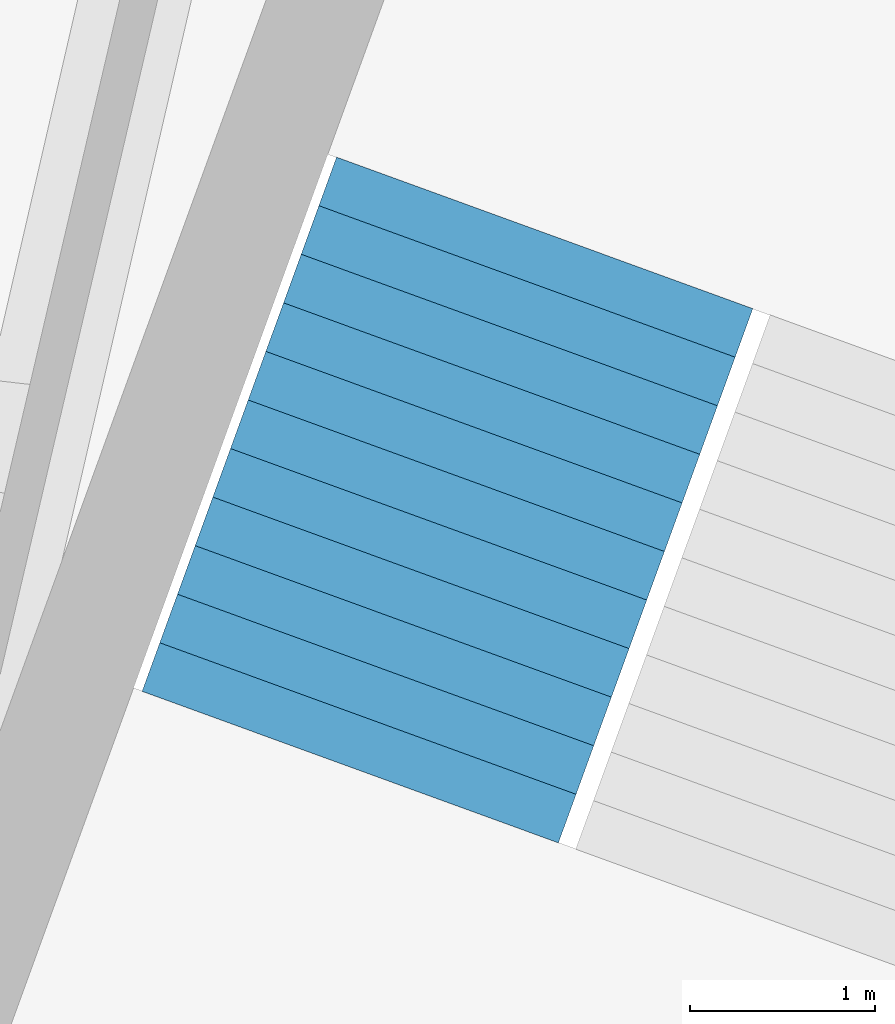
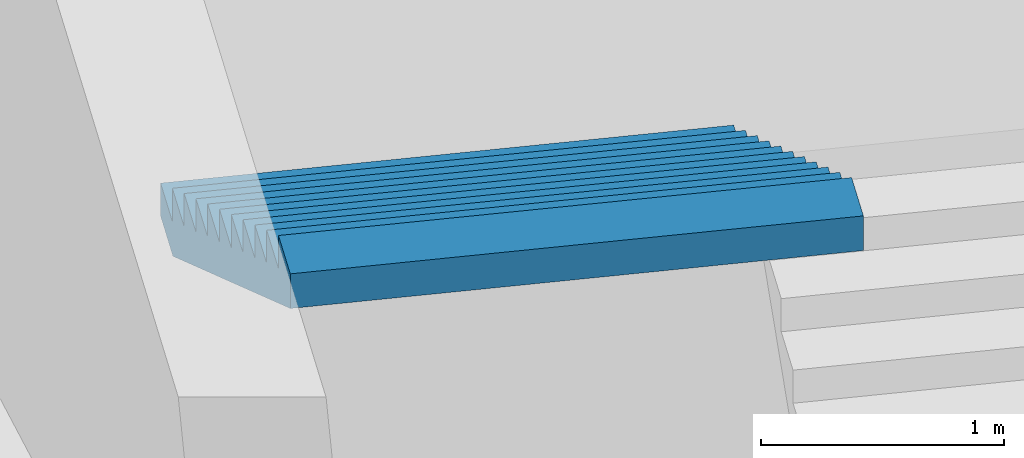
# One storey, part 49 of 74: 1 stair flight, 1 element without a shape of its own.
"""IFC4 building model written with IfcOpenShell, lengths in metres."""

from ifc_helpers import new_model, si_unit, direction, frame, origin, place, context, subcontext, project, spatial, triangles, material, type_object, element, aggregate, save


model = new_model("IFC4")

# Units and contexts
model_context = context("Model", 3, precision=1e-05, world=origin(), true_north=direction((0.0, 1.0)))
body_context = subcontext(model_context, "Body", "Model", "MODEL_VIEW")
ifc_project = project(units=[si_unit("LENGTHUNIT", "METRE"), si_unit("AREAUNIT", "SQUARE_METRE"), si_unit("VOLUMEUNIT", "CUBIC_METRE"), si_unit("PLANEANGLEUNIT", "RADIAN"), si_unit("MASSUNIT", "GRAM", prefix="KILO")], contexts=[model_context])

# Site, building, storey
site_placement = place(None, origin())
site = spatial("IfcSite", under=ifc_project, at=site_placement, CompositionType="ELEMENT")
building_placement = place(site_placement, origin())
building = spatial("IfcBuilding", under=site, at=building_placement, Name="Lantaw Convention Tower", CompositionType="ELEMENT")
storey_placement = place(building_placement, frame((0.0, 0.0, 6.5)))
storey = spatial("IfcBuildingStorey", under=building, at=storey_placement, Name="L01", CompositionType="ELEMENT", Elevation=6.5)

# Stair, stair flight
ifc_material = material(Name="Concrete C35/45", Category="concrete")
stair_type = type_object("IfcStairType", Name="Exit stair 2400 riser 166.67 in 4 flights", PredefinedType="HALF_TURN_STAIR", material=ifc_material)
stair_placement = place(storey_placement, origin())
stair = element("IfcStair", 1, at=stair_placement, inside=storey, type_object=stair_type, Name="Podium exit stair P5 L01", PredefinedType="HALF_TURN_STAIR")
stair_flight_type = type_object("IfcStairFlightType", Name="Stair flight 2400 riser 166.67", PredefinedType="STRAIGHT", material=ifc_material)
stair_flight_placement = place(storey_placement, frame((9.180419921875, 28.8779296875, 6.0), z_axis=(0.0, 0.0, 1.0), x_axis=(-0.342020143326, -0.939692620786, 0.0)))
stair_flight = element("IfcStairFlight", 2, at=stair_flight_placement, type_object=stair_flight_type, Name="P5 flight 4", NumberOfRisers=12, NumberOfTreads=11, PredefinedType="STRAIGHT", RiserHeight=0.166666667, TreadLength=0.28, context=body_context, shape_type="Tessellation", body=[
    triangles([(0.0, 1.199951171875, 0.0), (0.0, 1.199951171875, 0.166666667), (0.28, 1.199951171875, 0.0), (0.28, 1.199951171875, 0.166666667), (0.28, 1.199951171875, 0.333333334), (0.29307345806906726, 1.199951171875, 0.0), (0.29307345806906726, 1.199951171875, 0.333333334), (0.56, 1.199951171875, 0.15888484670522965), (0.56, 1.199951171875, 0.333333334), (0.56, 1.199951171875, 0.500000001), (0.8400000000000001, 1.199951171875, 0.3255515137052296), (0.8400000000000001, 1.199951171875, 0.500000001), (0.8400000000000001, 1.199951171875, 0.666666668), (1.12, 1.199951171875, 0.4922181807052296), (1.12, 1.199951171875, 0.666666668), (1.12, 1.199951171875, 0.833333335), (1.4000000000000001, 1.199951171875, 0.6588848477052296), (1.4000000000000001, 1.199951171875, 0.833333335), (1.4000000000000001, 1.199951171875, 1.000000002), (1.6800000000000002, 1.199951171875, 0.8255515147052296), (1.6800000000000002, 1.199951171875, 1.000000002), (1.6800000000000002, 1.199951171875, 1.166666669), (1.9600000000000002, 1.199951171875, 0.9922181817052296), (1.9600000000000002, 1.199951171875, 1.166666669), (1.9600000000000002, 1.199951171875, 1.333333336), (2.24, 1.199951171875, 1.1588848487052295), (2.24, 1.199951171875, 1.333333336), (2.24, 1.199951171875, 1.5000000029999998), (2.5200000000000005, 1.199951171875, 1.3255515157052296), (2.5200000000000005, 1.199951171875, 1.5000000029999998), (2.5200000000000005, 1.199951171875, 1.66666667), (2.8000000000000003, 1.199951171875, 1.4922181827052294), (2.8000000000000003, 1.199951171875, 1.66666667), (2.8000000000000003, 1.199951171875, 1.833333337), (3.08, 1.199951171875, 1.6588848497052293), (3.08, 1.199951171875, 1.833333337), (0.0, -1.199951171875, 0.0), (0.0, -1.199951171875, 0.166666667), (0.28, -1.199951171875, 0.0), (0.28, -1.199951171875, 0.166666667), (0.28, -1.199951171875, 0.333333334), (0.29307345806906726, -1.199951171875, 0.0), (0.29307345806906726, -1.199951171875, 0.333333334), (0.56, -1.199951171875, 0.15888484670522965), (0.56, -1.199951171875, 0.333333334), (0.56, -1.199951171875, 0.500000001), (0.8400000000000001, -1.199951171875, 0.3255515137052296), (0.8400000000000001, -1.199951171875, 0.500000001), (0.8400000000000001, -1.199951171875, 0.666666668), (1.12, -1.199951171875, 0.4922181807052296), (1.12, -1.199951171875, 0.666666668), (1.12, -1.199951171875, 0.833333335), (1.4000000000000001, -1.199951171875, 0.6588848477052296), (1.4000000000000001, -1.199951171875, 0.833333335), (1.4000000000000001, -1.199951171875, 1.000000002), (1.6800000000000002, -1.199951171875, 0.8255515147052296), (1.6800000000000002, -1.199951171875, 1.000000002), (1.6800000000000002, -1.199951171875, 1.166666669), (1.9600000000000002, -1.199951171875, 0.9922181817052296), (1.9600000000000002, -1.199951171875, 1.166666669), (1.9600000000000002, -1.199951171875, 1.333333336), (2.24, -1.199951171875, 1.1588848487052295), (2.24, -1.199951171875, 1.333333336), (2.24, -1.199951171875, 1.5000000029999998), (2.5200000000000005, -1.199951171875, 1.3255515157052296), (2.5200000000000005, -1.199951171875, 1.5000000029999998), (2.5200000000000005, -1.199951171875, 1.66666667), (2.8000000000000003, -1.199951171875, 1.4922181827052294), (2.8000000000000003, -1.199951171875, 1.66666667), (2.8000000000000003, -1.199951171875, 1.833333337), (3.08, -1.199951171875, 1.6588848497052293), (3.08, -1.199951171875, 1.833333337), (0.0, 0.239990234375, 0.166666667), (0.0, 0.239990234375, 0.0), (0.0, 0.1199951171875, 0.166666667), (0.0, 0.1199951171875, 0.0), (0.0, 0.0, 0.166666667), (0.0, 0.0, 0.0), (0.0, -0.1199951171875, 0.166666667), (0.0, -0.1199951171875, 0.0), (0.0, -0.239990234375, 0.166666667), (0.0, -0.239990234375, 0.0), (0.28, 0.239990234375, 0.333333334), (0.28, 0.239990234375, 0.166666667), (0.28, 0.1199951171875, 0.333333334), (0.28, 0.1199951171875, 0.166666667), (0.28, 0.0, 0.333333334), (0.28, 0.0, 0.166666667), (0.28, -0.1199951171875, 0.333333334), (0.28, -0.1199951171875, 0.166666667), (0.28, -0.239990234375, 0.333333334), (0.28, -0.239990234375, 0.166666667), (0.56, 0.239990234375, 0.500000001), (0.56, 0.239990234375, 0.333333334), (0.56, 0.1199951171875, 0.500000001), (0.56, 0.1199951171875, 0.333333334), (0.56, 0.0, 0.500000001), (0.56, 0.0, 0.333333334), (0.56, -0.1199951171875, 0.500000001), (0.56, -0.1199951171875, 0.333333334), (0.56, -0.239990234375, 0.500000001), (0.56, -0.239990234375, 0.333333334), (0.8400000000000001, 0.239990234375, 0.666666668), (0.8400000000000001, 0.239990234375, 0.500000001), (0.8400000000000001, 0.1199951171875, 0.666666668), (0.8400000000000001, 0.1199951171875, 0.500000001), (0.8400000000000001, 0.0, 0.666666668), (0.8400000000000001, 0.0, 0.500000001), (0.8400000000000001, -0.1199951171875, 0.666666668), (0.8400000000000001, -0.1199951171875, 0.500000001), (0.8400000000000001, -0.239990234375, 0.666666668), (0.8400000000000001, -0.239990234375, 0.500000001), (1.12, 0.239990234375, 0.833333335), (1.12, 0.239990234375, 0.666666668), (1.12, 0.1199951171875, 0.833333335), (1.12, 0.1199951171875, 0.666666668), (1.12, 0.0, 0.833333335), (1.12, 0.0, 0.666666668), (1.12, -0.1199951171875, 0.833333335), (1.12, -0.1199951171875, 0.666666668), (1.12, -0.239990234375, 0.833333335), (1.12, -0.239990234375, 0.666666668), (1.4000000000000001, 0.239990234375, 1.000000002), (1.4000000000000001, 0.239990234375, 0.833333335), (1.4000000000000001, 0.1199951171875, 1.000000002), (1.4000000000000001, 0.1199951171875, 0.833333335), (1.4000000000000001, 0.0, 1.000000002), (1.4000000000000001, 0.0, 0.833333335), (1.4000000000000001, -0.1199951171875, 1.000000002), (1.4000000000000001, -0.1199951171875, 0.833333335), (1.4000000000000001, -0.239990234375, 1.000000002), (1.4000000000000001, -0.239990234375, 0.833333335), (1.6800000000000002, 0.239990234375, 1.166666669), (1.6800000000000002, 0.239990234375, 1.000000002), (1.6800000000000002, 0.1199951171875, 1.166666669), (1.6800000000000002, 0.1199951171875, 1.000000002), (1.6800000000000002, 0.0, 1.166666669), (1.6800000000000002, 0.0, 1.000000002), (1.6800000000000002, -0.1199951171875, 1.166666669), (1.6800000000000002, -0.1199951171875, 1.000000002), (1.6800000000000002, -0.239990234375, 1.166666669), (1.6800000000000002, -0.239990234375, 1.000000002), (1.9600000000000002, 0.239990234375, 1.333333336), (1.9600000000000002, 0.239990234375, 1.166666669), (1.9600000000000002, 0.1199951171875, 1.333333336), (1.9600000000000002, 0.1199951171875, 1.166666669), (1.9600000000000002, 0.0, 1.333333336), (1.9600000000000002, 0.0, 1.166666669), (1.9600000000000002, -0.1199951171875, 1.333333336), (1.9600000000000002, -0.1199951171875, 1.166666669), (1.9600000000000002, -0.239990234375, 1.333333336), (1.9600000000000002, -0.239990234375, 1.166666669), (2.24, 0.239990234375, 1.5000000029999998), (2.24, 0.239990234375, 1.333333336), (2.24, 0.1199951171875, 1.5000000029999998), (2.24, 0.1199951171875, 1.333333336), (2.24, 0.0, 1.5000000029999998), (2.24, 0.0, 1.333333336), (2.24, -0.1199951171875, 1.5000000029999998), (2.24, -0.1199951171875, 1.333333336), (2.24, -0.239990234375, 1.5000000029999998), (2.24, -0.239990234375, 1.333333336), (2.5200000000000005, 0.239990234375, 1.66666667), (2.5200000000000005, 0.239990234375, 1.5000000029999998), (2.5200000000000005, 0.1199951171875, 1.66666667), (2.5200000000000005, 0.1199951171875, 1.5000000029999998), (2.5200000000000005, 0.0, 1.66666667), (2.5200000000000005, 0.0, 1.5000000029999998), (2.5200000000000005, -0.1199951171875, 1.66666667), (2.5200000000000005, -0.1199951171875, 1.5000000029999998), (2.5200000000000005, -0.239990234375, 1.66666667), (2.5200000000000005, -0.239990234375, 1.5000000029999998), (2.8000000000000003, 0.239990234375, 1.833333337), (2.8000000000000003, 0.239990234375, 1.66666667), (2.8000000000000003, 0.1199951171875, 1.833333337), (2.8000000000000003, 0.1199951171875, 1.66666667), (2.8000000000000003, 0.0, 1.833333337), (2.8000000000000003, 0.0, 1.66666667), (2.8000000000000003, -0.1199951171875, 1.833333337), (2.8000000000000003, -0.1199951171875, 1.66666667), (2.8000000000000003, -0.239990234375, 1.833333337), (2.8000000000000003, -0.239990234375, 1.66666667), (0.29307345806906726, 0.239990234375, 0.333333334), (0.29307345806906726, 0.1199951171875, 0.333333334), (0.29307345806906726, 0.0, 0.333333334), (0.29307345806906726, -0.1199951171875, 0.333333334), (0.29307345806906726, -0.239990234375, 0.333333334), (3.08, 0.239990234375, 1.833333337), (3.08, 0.1199951171875, 1.833333337), (3.08, 0.0, 1.833333337), (3.08, -0.1199951171875, 1.833333337), (3.08, -0.239990234375, 1.833333337), (3.08, 0.239990234375, 1.6588848497052293), (3.08, 0.1199951171875, 1.6588848497052293), (3.08, 0.0, 1.6588848497052293), (3.08, -0.1199951171875, 1.6588848497052293), (3.08, -0.239990234375, 1.6588848497052293), (2.8000000000000003, 0.239990234375, 1.4922181827052294), (2.8000000000000003, 0.1199951171875, 1.4922181827052294), (2.8000000000000003, 0.0, 1.4922181827052294), (2.8000000000000003, -0.1199951171875, 1.4922181827052294), (2.8000000000000003, -0.239990234375, 1.4922181827052294), (2.5200000000000005, 0.239990234375, 1.3255515157052296), (2.5200000000000005, 0.1199951171875, 1.3255515157052296), (2.5200000000000005, 0.0, 1.3255515157052296), (2.5200000000000005, -0.1199951171875, 1.3255515157052296), (2.5200000000000005, -0.239990234375, 1.3255515157052296), (2.24, 0.239990234375, 1.1588848487052295), (2.24, 0.1199951171875, 1.1588848487052295), (2.24, 0.0, 1.1588848487052295), (2.24, -0.1199951171875, 1.1588848487052295), (2.24, -0.239990234375, 1.1588848487052295), (1.9600000000000002, 0.239990234375, 0.9922181817052296), (1.9600000000000002, 0.1199951171875, 0.9922181817052296), (1.9600000000000002, 0.0, 0.9922181817052296), (1.9600000000000002, -0.1199951171875, 0.9922181817052296), (1.9600000000000002, -0.239990234375, 0.9922181817052296), (1.6800000000000002, 0.239990234375, 0.8255515147052296), (1.6800000000000002, 0.1199951171875, 0.8255515147052296), (1.6800000000000002, 0.0, 0.8255515147052296), (1.6800000000000002, -0.1199951171875, 0.8255515147052296), (1.6800000000000002, -0.239990234375, 0.8255515147052296), (1.4000000000000001, 0.239990234375, 0.6588848477052296), (1.4000000000000001, 0.1199951171875, 0.6588848477052296), (1.4000000000000001, 0.0, 0.6588848477052296), (1.4000000000000001, -0.1199951171875, 0.6588848477052296), (1.4000000000000001, -0.239990234375, 0.6588848477052296), (1.12, 0.239990234375, 0.4922181807052296), (1.12, 0.1199951171875, 0.4922181807052296), (1.12, 0.0, 0.4922181807052296), (1.12, -0.1199951171875, 0.4922181807052296), (1.12, -0.239990234375, 0.4922181807052296), (0.8400000000000001, 0.239990234375, 0.3255515137052296), (0.8400000000000001, 0.1199951171875, 0.3255515137052296), (0.8400000000000001, 0.0, 0.3255515137052296), (0.8400000000000001, -0.1199951171875, 0.3255515137052296), (0.8400000000000001, -0.239990234375, 0.3255515137052296), (0.56, 0.239990234375, 0.15888484670522965), (0.56, 0.1199951171875, 0.15888484670522965), (0.56, 0.0, 0.15888484670522965), (0.56, -0.1199951171875, 0.15888484670522965), (0.56, -0.239990234375, 0.15888484670522965), (0.29307345806906726, 0.239990234375, 0.0), (0.29307345806906726, 0.1199951171875, 0.0), (0.29307345806906726, 0.0, 0.0), (0.29307345806906726, -0.1199951171875, 0.0), (0.29307345806906726, -0.239990234375, 0.0), (0.28, 0.239990234375, 0.0), (0.28, 0.1199951171875, 0.0), (0.28, 0.0, 0.0), (0.28, -0.1199951171875, 0.0), (0.28, -0.239990234375, 0.0)], [[1, 4, 3], [1, 2, 4], [3, 4, 6], [4, 7, 6], [4, 5, 7], [6, 9, 8], [6, 7, 9], [8, 9, 11], [9, 12, 11], [9, 10, 12], [11, 12, 14], [12, 15, 14], [12, 13, 15], [14, 15, 17], [15, 18, 17], [15, 16, 18], [17, 18, 20], [18, 21, 20], [18, 19, 21], [20, 21, 23], [21, 24, 23], [21, 22, 24], [23, 24, 26], [24, 27, 26], [24, 25, 27], [26, 27, 29], [27, 30, 29], [27, 28, 30], [29, 30, 32], [30, 33, 32], [30, 31, 33], [32, 33, 35], [33, 36, 35], [33, 34, 36], [37, 39, 40], [37, 40, 38], [39, 42, 40], [40, 42, 43], [40, 43, 41], [42, 44, 45], [42, 45, 43], [44, 47, 45], [45, 47, 48], [45, 48, 46], [47, 50, 48], [48, 50, 51], [48, 51, 49], [50, 53, 51], [51, 53, 54], [51, 54, 52], [53, 56, 54], [54, 56, 57], [54, 57, 55], [56, 59, 57], [57, 59, 60], [57, 60, 58], [59, 62, 60], [60, 62, 63], [60, 63, 61], [62, 65, 63], [63, 65, 66], [63, 66, 64], [65, 68, 66], [66, 68, 69], [66, 69, 67], [68, 71, 69], [69, 71, 72], [69, 72, 70], [1, 73, 2], [1, 74, 73], [74, 75, 73], [74, 76, 75], [76, 77, 75], [76, 78, 77], [78, 79, 77], [78, 80, 79], [80, 81, 79], [80, 82, 81], [82, 38, 81], [82, 37, 38], [4, 83, 5], [4, 84, 83], [84, 85, 83], [84, 86, 85], [86, 87, 85], [86, 88, 87], [88, 89, 87], [88, 90, 89], [90, 91, 89], [90, 92, 91], [92, 41, 91], [92, 40, 41], [9, 93, 10], [9, 94, 93], [94, 95, 93], [94, 96, 95], [96, 97, 95], [96, 98, 97], [98, 99, 97], [98, 100, 99], [100, 101, 99], [100, 102, 101], [102, 46, 101], [102, 45, 46], [12, 103, 13], [12, 104, 103], [104, 105, 103], [104, 106, 105], [106, 107, 105], [106, 108, 107], [108, 109, 107], [108, 110, 109], [110, 111, 109], [110, 112, 111], [112, 49, 111], [112, 48, 49], [15, 113, 16], [15, 114, 113], [114, 115, 113], [114, 116, 115], [116, 117, 115], [116, 118, 117], [118, 119, 117], [118, 120, 119], [120, 121, 119], [120, 122, 121], [122, 52, 121], [122, 51, 52], [18, 123, 19], [18, 124, 123], [124, 125, 123], [124, 126, 125], [126, 127, 125], [126, 128, 127], [128, 129, 127], [128, 130, 129], [130, 131, 129], [130, 132, 131], [132, 55, 131], [132, 54, 55], [21, 133, 22], [21, 134, 133], [134, 135, 133], [134, 136, 135], [136, 137, 135], [136, 138, 137], [138, 139, 137], [138, 140, 139], [140, 141, 139], [140, 142, 141], [142, 58, 141], [142, 57, 58], [24, 143, 25], [24, 144, 143], [144, 145, 143], [144, 146, 145], [146, 147, 145], [146, 148, 147], [148, 149, 147], [148, 150, 149], [150, 151, 149], [150, 152, 151], [152, 61, 151], [152, 60, 61], [27, 153, 28], [27, 154, 153], [154, 155, 153], [154, 156, 155], [156, 157, 155], [156, 158, 157], [158, 159, 157], [158, 160, 159], [160, 161, 159], [160, 162, 161], [162, 64, 161], [162, 63, 64], [30, 163, 31], [30, 164, 163], [164, 165, 163], [164, 166, 165], [166, 167, 165], [166, 168, 167], [168, 169, 167], [168, 170, 169], [170, 171, 169], [170, 172, 171], [172, 67, 171], [172, 66, 67], [33, 173, 34], [33, 174, 173], [174, 175, 173], [174, 176, 175], [176, 177, 175], [176, 178, 177], [178, 179, 177], [178, 180, 179], [180, 181, 179], [180, 182, 181], [182, 70, 181], [182, 69, 70], [2, 84, 4], [2, 73, 84], [73, 86, 84], [73, 75, 86], [75, 88, 86], [75, 77, 88], [77, 90, 88], [77, 79, 90], [79, 92, 90], [79, 81, 92], [81, 40, 92], [81, 38, 40], [5, 183, 7], [5, 83, 183], [83, 184, 183], [83, 85, 184], [85, 185, 184], [85, 87, 185], [87, 186, 185], [87, 89, 186], [89, 187, 186], [89, 91, 187], [91, 43, 187], [91, 41, 43], [7, 94, 9], [7, 183, 94], [183, 96, 94], [183, 184, 96], [184, 98, 96], [184, 185, 98], [185, 100, 98], [185, 186, 100], [186, 102, 100], [186, 187, 102], [187, 45, 102], [187, 43, 45], [10, 104, 12], [10, 93, 104], [93, 106, 104], [93, 95, 106], [95, 108, 106], [95, 97, 108], [97, 110, 108], [97, 99, 110], [99, 112, 110], [99, 101, 112], [101, 48, 112], [101, 46, 48], [13, 114, 15], [13, 103, 114], [103, 116, 114], [103, 105, 116], [105, 118, 116], [105, 107, 118], [107, 120, 118], [107, 109, 120], [109, 122, 120], [109, 111, 122], [111, 51, 122], [111, 49, 51], [16, 124, 18], [16, 113, 124], [113, 126, 124], [113, 115, 126], [115, 128, 126], [115, 117, 128], [117, 130, 128], [117, 119, 130], [119, 132, 130], [119, 121, 132], [121, 54, 132], [121, 52, 54], [19, 134, 21], [19, 123, 134], [123, 136, 134], [123, 125, 136], [125, 138, 136], [125, 127, 138], [127, 140, 138], [127, 129, 140], [129, 142, 140], [129, 131, 142], [131, 57, 142], [131, 55, 57], [22, 144, 24], [22, 133, 144], [133, 146, 144], [133, 135, 146], [135, 148, 146], [135, 137, 148], [137, 150, 148], [137, 139, 150], [139, 152, 150], [139, 141, 152], [141, 60, 152], [141, 58, 60], [25, 154, 27], [25, 143, 154], [143, 156, 154], [143, 145, 156], [145, 158, 156], [145, 147, 158], [147, 160, 158], [147, 149, 160], [149, 162, 160], [149, 151, 162], [151, 63, 162], [151, 61, 63], [28, 164, 30], [28, 153, 164], [153, 166, 164], [153, 155, 166], [155, 168, 166], [155, 157, 168], [157, 170, 168], [157, 159, 170], [159, 172, 170], [159, 161, 172], [161, 66, 172], [161, 64, 66], [31, 174, 33], [31, 163, 174], [163, 176, 174], [163, 165, 176], [165, 178, 176], [165, 167, 178], [167, 180, 178], [167, 169, 180], [169, 182, 180], [169, 171, 182], [171, 69, 182], [171, 67, 69], [34, 188, 36], [34, 173, 188], [173, 189, 188], [173, 175, 189], [175, 190, 189], [175, 177, 190], [177, 191, 190], [177, 179, 191], [179, 192, 191], [179, 181, 192], [181, 72, 192], [181, 70, 72], [36, 193, 35], [36, 188, 193], [188, 194, 193], [188, 189, 194], [189, 195, 194], [189, 190, 195], [190, 196, 195], [190, 191, 196], [191, 197, 196], [191, 192, 197], [192, 71, 197], [192, 72, 71], [35, 198, 32], [35, 193, 198], [193, 199, 198], [193, 194, 199], [194, 200, 199], [194, 195, 200], [195, 201, 200], [195, 196, 201], [196, 202, 201], [196, 197, 202], [197, 68, 202], [197, 71, 68], [32, 203, 29], [32, 198, 203], [198, 204, 203], [198, 199, 204], [199, 205, 204], [199, 200, 205], [200, 206, 205], [200, 201, 206], [201, 207, 206], [201, 202, 207], [202, 65, 207], [202, 68, 65], [29, 208, 26], [29, 203, 208], [203, 209, 208], [203, 204, 209], [204, 210, 209], [204, 205, 210], [205, 211, 210], [205, 206, 211], [206, 212, 211], [206, 207, 212], [207, 62, 212], [207, 65, 62], [26, 213, 23], [26, 208, 213], [208, 214, 213], [208, 209, 214], [209, 215, 214], [209, 210, 215], [210, 216, 215], [210, 211, 216], [211, 217, 216], [211, 212, 217], [212, 59, 217], [212, 62, 59], [23, 218, 20], [23, 213, 218], [213, 219, 218], [213, 214, 219], [214, 220, 219], [214, 215, 220], [215, 221, 220], [215, 216, 221], [216, 222, 221], [216, 217, 222], [217, 56, 222], [217, 59, 56], [20, 223, 17], [20, 218, 223], [218, 224, 223], [218, 219, 224], [219, 225, 224], [219, 220, 225], [220, 226, 225], [220, 221, 226], [221, 227, 226], [221, 222, 227], [222, 53, 227], [222, 56, 53], [17, 228, 14], [17, 223, 228], [223, 229, 228], [223, 224, 229], [224, 230, 229], [224, 225, 230], [225, 231, 230], [225, 226, 231], [226, 232, 231], [226, 227, 232], [227, 50, 232], [227, 53, 50], [14, 233, 11], [14, 228, 233], [228, 234, 233], [228, 229, 234], [229, 235, 234], [229, 230, 235], [230, 236, 235], [230, 231, 236], [231, 237, 236], [231, 232, 237], [232, 47, 237], [232, 50, 47], [11, 238, 8], [11, 233, 238], [233, 239, 238], [233, 234, 239], [234, 240, 239], [234, 235, 240], [235, 241, 240], [235, 236, 241], [236, 242, 241], [236, 237, 242], [237, 44, 242], [237, 47, 44], [8, 243, 6], [8, 238, 243], [238, 244, 243], [238, 239, 244], [239, 245, 244], [239, 240, 245], [240, 246, 245], [240, 241, 246], [241, 247, 246], [241, 242, 247], [242, 42, 247], [242, 44, 42], [6, 248, 3], [6, 243, 248], [243, 249, 248], [243, 244, 249], [244, 250, 249], [244, 245, 250], [245, 251, 250], [245, 246, 251], [246, 252, 251], [246, 247, 252], [247, 39, 252], [247, 42, 39], [3, 74, 1], [3, 248, 74], [248, 76, 74], [248, 249, 76], [249, 78, 76], [249, 250, 78], [250, 80, 78], [250, 251, 80], [251, 82, 80], [251, 252, 82], [252, 37, 82], [252, 39, 37]], closed=True),
])
aggregate(stair, [stair_flight])

save(model, "model.ifc")
